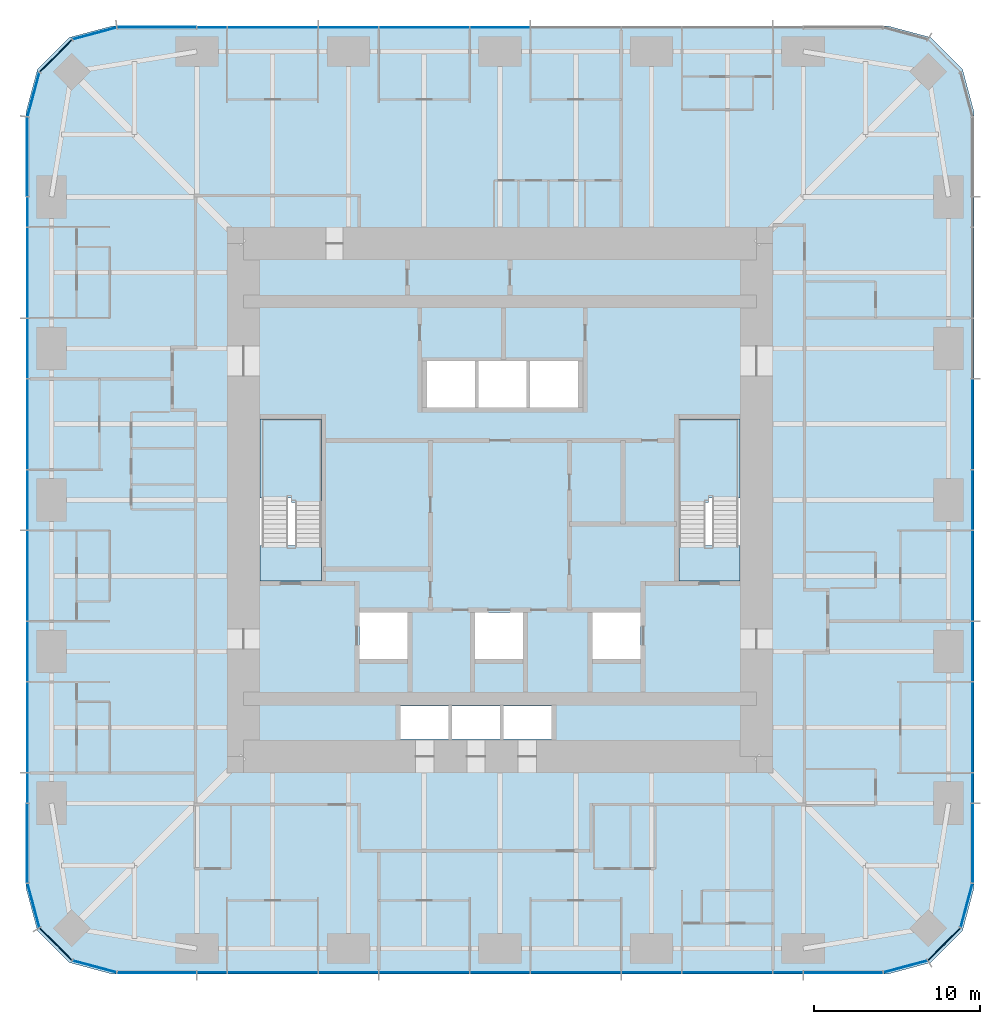
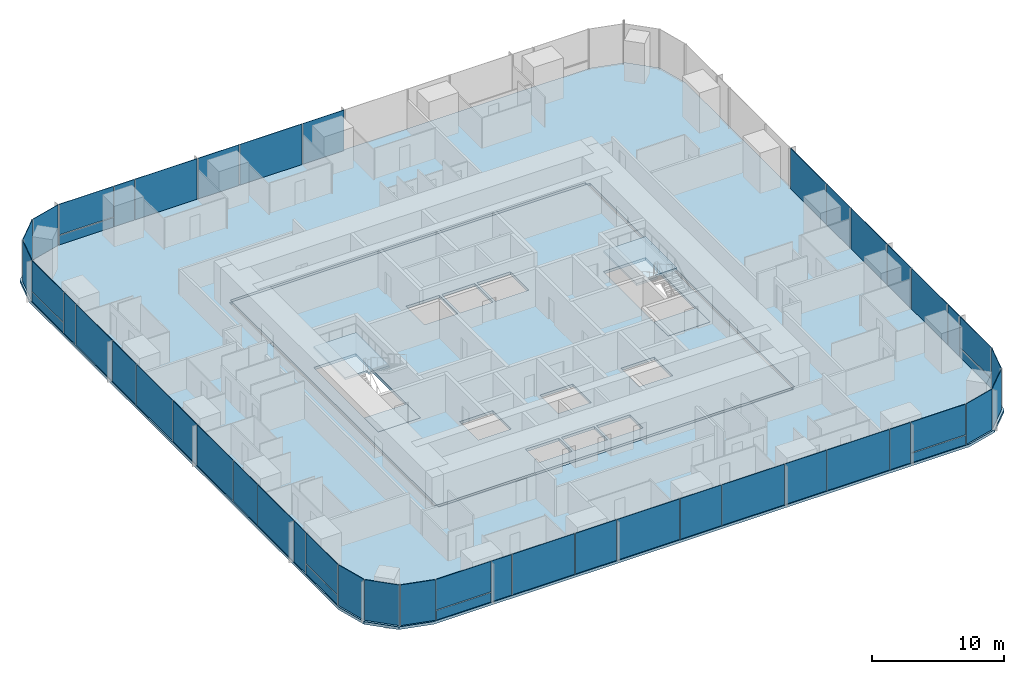
# One storey, part 7 of 13: 50 plates, 6 slabs, 9 elements without a shape of their own.
"""IFC4 building model written with IfcOpenShell, lengths in metres."""

import ifcopenshell
import ifcopenshell.guid

model = None  # the IFC model being written
_history = None  # IfcOwnerHistory: only IFC2X3 demands one
_inside = {}  # id of a spatial element -> (the spatial element, [elements in it])
_under = {}  # id of a project, library or spatial element -> (it, [spatial elements below it])
_declared = {}  # id of a project -> (the project, [libraries it declares])
_typed = {}  # id of a type object -> (the type object, [elements of that type])
_made_of = {}  # id of a material, layer set ... -> (it, [elements and type objects made of it])


def new_model(schema):
    """Start an empty IFC model of exactly this schema.

    Asked for "IFC4X3", IfcOpenShell would pick the latest addendum, in which some entities
    have other attributes; the version numbers below select the first issue.
    IFC2X3 requires an IfcOwnerHistory on every rooted entity: one is made here for all.
    """
    global model, _history
    if schema == "IFC4X3":
        model = ifcopenshell.file(schema_version=(4, 3, 0, 0))
    else:
        model = ifcopenshell.file(schema=schema)
    _inside.clear()
    _under.clear()
    _declared.clear()
    _typed.clear()
    _made_of.clear()
    _history = None
    if model.schema == "IFC2X3":
        org = make("IfcOrganization", Name="unknown")
        user = make(
            "IfcPersonAndOrganization",
            ThePerson=make("IfcPerson", FamilyName="unknown"),
            TheOrganization=org,
        )
        app = make(
            "IfcApplication",
            ApplicationDeveloper=org,
            Version="unknown",
            ApplicationFullName="unknown",
            ApplicationIdentifier="unknown",
        )
        _history = make(
            "IfcOwnerHistory",
            OwningUser=user,
            OwningApplication=app,
            ChangeAction="ADDED",
            CreationDate=0,
        )
    return model


def make(cls, **values):
    """One entity of the class cls with the attributes given. An attribute that is None is left unset."""
    return model.create_entity(
        cls, **{name: value for name, value in values.items() if value is not None}
    )


def rooted(cls, **values):
    """An entity with a GlobalId (a new one), such as an element, a storey or a relation."""
    return make(cls, GlobalId=ifcopenshell.guid.new(), OwnerHistory=_history, **values)


def si_unit(unit_type, name, prefix=None):
    """IfcSIUnit, for example si_unit("LENGTHUNIT", "METRE", prefix="MILLI")."""
    return make("IfcSIUnit", UnitType=unit_type, Prefix=prefix, Name=name)


def assignment(units):
    """IfcUnitAssignment: the units of a project."""
    return None if units is None else make("IfcUnitAssignment", Units=units)


def point(xyz):
    """IfcCartesianPoint."""
    return None if xyz is None else make("IfcCartesianPoint", Coordinates=xyz)


def direction(xyz):
    """IfcDirection."""
    return None if xyz is None else make("IfcDirection", DirectionRatios=xyz)


def frame(location, z_axis=None, x_axis=None):
    """IfcAxis2Placement3D, a coordinate frame: its origin and axes. An axis left out is left unset."""
    return make(
        "IfcAxis2Placement3D",
        Location=point(location),
        Axis=direction(z_axis),
        RefDirection=direction(x_axis),
    )


def frame_2d(location, x_axis=None):
    """IfcAxis2Placement2D, a coordinate frame in the plane: its origin and x axis."""
    return make(
        "IfcAxis2Placement2D", Location=point(location), RefDirection=direction(x_axis)
    )


def origin():
    """The frame at (0, 0, 0) with its axes left unset."""
    return frame((0.0, 0.0, 0.0))


def origin_2d():
    """The frame at (0, 0) in the plane with its x axis left unset."""
    return frame_2d((0.0, 0.0))


def place(relative_to, where):
    """IfcLocalPlacement: puts the frame where relative to a parent placement (None: the world)."""
    return make(
        "IfcLocalPlacement", PlacementRelTo=relative_to, RelativePlacement=where
    )


def context(
    kind, dimensions, precision=None, world=None, true_north=None, identifier=None
):
    """IfcGeometricRepresentationContext, for example the 3D "Model" context."""
    return make(
        "IfcGeometricRepresentationContext",
        ContextIdentifier=identifier,
        ContextType=kind,
        CoordinateSpaceDimension=dimensions,
        Precision=precision,
        WorldCoordinateSystem=world,
        TrueNorth=true_north,
    )


def subcontext(parent, identifier, kind, view, scale=None):
    """IfcGeometricRepresentationSubContext, for example "Body" below "Model"."""
    return make(
        "IfcGeometricRepresentationSubContext",
        ContextIdentifier=identifier,
        ContextType=kind,
        ParentContext=parent,
        TargetScale=scale,
        TargetView=view,
    )


def project(units=None, contexts=None):
    """IfcProject with its units and contexts."""
    return rooted(
        "IfcProject",
        Name="project",
        RepresentationContexts=contexts,
        UnitsInContext=assignment(units),
    )


def spatial(cls, under=None, at=None, **own):
    """A site, building, storey or space (cls), placed at a placement, below another one or the project."""
    s = rooted(cls, ObjectPlacement=at, **own)
    if under is not None:
        _under.setdefault(under.id(), (under, []))[1].append(s)
    return s


def polyline(points):
    """IfcPolyline through the points."""
    return make("IfcPolyline", Points=[point(p) for p in points])


def profile(cls, at=None, kind="AREA", **sizes):
    """A parametric profile (cls). Its sizes go by their IFC names, for example OverallWidth=200.0."""
    return make(cls, ProfileType=kind, Position=at, **sizes)


def rectangle(**sizes):
    """IfcRectangleProfileDef."""
    return profile("IfcRectangleProfileDef", **sizes)


def outline(outer, holes=None, kind="AREA"):
    """IfcArbitraryClosedProfileDef: a profile drawn as a closed curve; with holes, ...WithVoids."""
    if holes is None:
        return make("IfcArbitraryClosedProfileDef", ProfileType=kind, OuterCurve=outer)
    return make(
        "IfcArbitraryProfileDefWithVoids",
        ProfileType=kind,
        OuterCurve=outer,
        InnerCurves=holes,
    )


def extrude(swept, where, along, depth):
    """IfcExtrudedAreaSolid: the profile swept, set in the frame where, extruded along a direction by depth."""
    return make(
        "IfcExtrudedAreaSolid",
        SweptArea=swept,
        Position=where,
        ExtrudedDirection=direction(along),
        Depth=depth,
    )


def shape(context_of_items, identifier, shape_type, items):
    """IfcShapeRepresentation: the items that make up one representation, for example the "Body"."""
    return make(
        "IfcShapeRepresentation",
        ContextOfItems=context_of_items,
        RepresentationIdentifier=identifier,
        RepresentationType=shape_type,
        Items=items,
    )


def material(Name=None, Category=None):
    """IfcMaterial."""
    return make("IfcMaterial", Name=Name, Category=Category)


def layer(
    of_material, thickness, ventilated=None, Name=None, Category=None, Priority=None
):
    """IfcMaterialLayer: one layer of a wall or slab, of a material (None: an air gap)."""
    return make(
        "IfcMaterialLayer",
        Material=of_material,
        LayerThickness=thickness,
        IsVentilated=ventilated,
        Name=Name,
        Category=Category,
        Priority=Priority,
    )


def layer_set(layers, Name=None):
    """IfcMaterialLayerSet."""
    return make("IfcMaterialLayerSet", MaterialLayers=layers, LayerSetName=Name)


def made_of(thing, what):
    """Note that an element or type object is made of a material, layer set ...; save() writes the relation."""
    if what is not None:
        _made_of.setdefault(what.id(), (what, []))[1].append(thing)
    return thing


def type_object(cls, material=None, **own):
    """A type object (cls), such as IfcWallType, which elements share."""
    return made_of(rooted(cls, **own), material)


def element(
    cls,
    number,
    at=None,
    inside=None,
    cuts=None,
    type_object=None,
    material=None,
    context=None,
    identifier="Body",
    shape_type=None,
    held_by="IfcProductDefinitionShape",
    body=None,
    shapes=None,
    **own,
):
    """One element of the class cls, such as IfcWall. Its Tag is "e" and its number.

    at: its placement. inside: the storey or other place that contains it. cuts: it is an
    opening in that element (IfcRelVoidsElement). A single representation is given by context,
    identifier, shape_type and body (its items); several are given by shapes. held_by: the class
    of the entity that holds the representations. save() writes the other relations.
    """
    e = rooted(cls, Tag="e%d" % number, ObjectPlacement=at, **own)
    if body is not None:
        shapes = [shape(context, identifier, shape_type, body)]
    if shapes is not None:
        e.Representation = make(held_by, Representations=shapes)
    if inside is not None:
        _inside.setdefault(inside.id(), (inside, []))[1].append(e)
    if cuts is not None:
        rooted(
            "IfcRelVoidsElement", RelatingBuildingElement=cuts, RelatedOpeningElement=e
        )
    if type_object is not None:
        _typed.setdefault(type_object.id(), (type_object, []))[1].append(e)
    return made_of(e, material)


def aggregate(whole, parts):
    """IfcRelAggregates: a whole, such as a stair, and the parts it consists of."""
    return rooted("IfcRelAggregates", RelatingObject=whole, RelatedObjects=parts)


def save(model, path):
    """Write the relations noted so far, then the file.

    IfcRelAggregates (storeys below a building ...), IfcRelContainedInSpatialStructure (elements
    in a storey), IfcRelDefinesByType, IfcRelAssociatesMaterial and IfcRelDeclares: one each for
    every whole, place, type object, material and project.
    """
    for whole, parts in _under.values():
        aggregate(whole, parts)
    for where, things in _inside.values():
        rooted(
            "IfcRelContainedInSpatialStructure",
            RelatedElements=things,
            RelatingStructure=where,
        )
    for kind, things in _typed.values():
        rooted("IfcRelDefinesByType", RelatedObjects=things, RelatingType=kind)
    for what, things in _made_of.values():
        rooted("IfcRelAssociatesMaterial", RelatedObjects=things, RelatingMaterial=what)
    for by, libraries in _declared.values():
        rooted("IfcRelDeclares", RelatingContext=by, RelatedDefinitions=libraries)
    model.write(path)


model = new_model("IFC4")

# Units and contexts
model_context = context("Model", 3, precision=1e-05, world=origin(), true_north=direction((0.0, 1.0)))
body_context = subcontext(model_context, "Body", "Model", "MODEL_VIEW")
ifc_project = project(units=[si_unit("LENGTHUNIT", "METRE"), si_unit("AREAUNIT", "SQUARE_METRE"), si_unit("VOLUMEUNIT", "CUBIC_METRE"), si_unit("PLANEANGLEUNIT", "RADIAN"), si_unit("MASSUNIT", "GRAM", prefix="KILO")], contexts=[model_context])

# Site, building, storey
site_placement = place(None, origin())
site = spatial("IfcSite", under=ifc_project, at=site_placement, CompositionType="ELEMENT")
building_placement = place(site_placement, origin())
building = spatial("IfcBuilding", under=site, at=building_placement, Name="Khuree Lantern Residences", CompositionType="ELEMENT")
storey_placement = place(building_placement, frame((0.0, 0.0, 152.25)))
storey = spatial("IfcBuildingStorey", under=building, at=storey_placement, Name="L38", CompositionType="ELEMENT", Elevation=152.25)

# Slab
ifc_material_1 = material(Name="Concrete C35/45", Category="concrete")
ifc_layer_1 = layer(ifc_material_1, 0.25)
ifc_layer_set_1 = layer_set([ifc_layer_1], Name="CFL250 CORE FLOOR SLAB 250")
slab_type_1 = type_object("IfcSlabType", Name="CFL250 CORE FLOOR SLAB 250", PredefinedType="FLOOR", material=ifc_layer_set_1)
slab_1_placement = place(storey_placement, frame((0.0, 0.0, -0.25)))
element("IfcSlab", 1, at=slab_1_placement, inside=storey, type_object=slab_type_1, Name="Core floor L38", PredefinedType="FLOOR", context=body_context, shape_type="SweptSolid", body=[
    extrude(outline(polyline([(-15.5, -15.5), (-15.5, 15.5), (15.5, 15.5), (15.5, -15.5), (-15.5, -15.5)]), holes=[polyline([(10.800048828125, 4.89990234375), (10.800048828125, -4.89990234375), (14.5, -4.89990234375), (14.5, 4.89990234375), (10.800048828125, 4.89990234375)]), polyline([(8.5, -6.800048828125), (5.60009765625, -6.800048828125), (5.60009765625, -9.60009765625), (8.5, -9.60009765625), (8.5, -6.800048828125)]), polyline([(4.699951171875, 8.39990234375), (1.800048828125, 8.39990234375), (1.800048828125, 5.60009765625), (4.699951171875, 5.60009765625), (4.699951171875, 8.39990234375)]), polyline([(3.10009765625, -12.449951171875), (0.199951171875, -12.449951171875), (0.199951171875, -14.449951171875), (3.10009765625, -14.449951171875), (3.10009765625, -12.449951171875)]), polyline([(1.60009765625, 8.39990234375), (-1.300048828125, 8.39990234375), (-1.300048828125, 5.60009765625), (1.60009765625, 5.60009765625), (1.60009765625, 8.39990234375)]), polyline([(1.39990234375, -6.800048828125), (-1.5, -6.800048828125), (-1.5, -9.60009765625), (1.39990234375, -9.60009765625), (1.39990234375, -6.800048828125)]), polyline([(-2.89990234375, -12.449951171875), (-2.89990234375, -14.449951171875), (0.0, -14.449951171875), (0.0, -12.449951171875), (-2.89990234375, -12.449951171875)]), polyline([(-4.39990234375, 8.39990234375), (-4.39990234375, 5.60009765625), (-1.5, 5.60009765625), (-1.5, 8.39990234375), (-4.39990234375, 8.39990234375)]), polyline([(-6.0, -12.449951171875), (-6.0, -14.449951171875), (-3.10009765625, -14.449951171875), (-3.10009765625, -12.449951171875), (-6.0, -12.449951171875)]), polyline([(-8.5, -6.800048828125), (-8.5, -9.60009765625), (-5.60009765625, -9.60009765625), (-5.60009765625, -6.800048828125), (-8.5, -6.800048828125)]), polyline([(-10.800048828125, 4.89990234375), (-14.5, 4.89990234375), (-14.5, -4.89990234375), (-10.800048828125, -4.89990234375), (-10.800048828125, 4.89990234375)])]), origin(), (0.0, 0.0, 1.0), 0.25),
])

# Curtain wall, plates
ifc_material_2 = material(Name="Bronze anodised aluminium", Category="aluminium")
curtain_wall_type_1 = type_object("IfcCurtainWallType", Name="CW-T2 TOWER CORNER CURTAIN WALL", PredefinedType="USERDEFINED", material=ifc_material_2)
curtain_wall_1_placement = place(storey_placement, origin())
curtain_wall_1 = element("IfcCurtainWall", 2, at=curtain_wall_1_placement, inside=storey, type_object=curtain_wall_type_1, Name="L38 SOUTH-EAST CORNER CURTAIN WALL", ObjectType="Faceted corner curtain wall", PredefinedType="USERDEFINED")
ifc_material_3 = material(Name="Bronze tinted triple glazing", Category="glass")
ifc_layer_2 = layer(ifc_material_3, 0.048095703125)
ifc_layer_set_2 = layer_set([ifc_layer_2], Name="FACET PANEL P4")
plate_type_1 = type_object("IfcPlateType", Name="FACET PANEL P4", PredefinedType="CURTAIN_PANEL", material=ifc_layer_set_2)
plate_1_placement = place(storey_placement, frame((24.498046875, -28.188720703125, 0.0), z_axis=(0.0, 0.0, 1.0), x_axis=(0.965925810153, 0.258819105321, 0.0)))
plate_1 = element("IfcPlate", 3, at=plate_1_placement, type_object=plate_type_1, Name="L38 SOUTH-EAST CORNER PANEL 1.1", PredefinedType="CURTAIN_PANEL", context=body_context, shape_type="SweptSolid", body=[
    extrude(rectangle(XDim=2.71923828125, YDim=0.048095703125, at=origin_2d()), origin(), (0.0, 0.0, 1.0), 3.75),
])
plate_2_placement = place(storey_placement, frame((26.83837890625, -26.83837890625, 0.0), z_axis=(0.0, 0.0, 1.0), x_axis=(0.707106781187, 0.707106781187, 0.0)))
plate_2 = element("IfcPlate", 4, at=plate_2_placement, type_object=plate_type_1, Name="L38 SOUTH-EAST CORNER PANEL 2.1", PredefinedType="CURTAIN_PANEL", context=body_context, shape_type="SweptSolid", body=[
    extrude(rectangle(XDim=2.715087890625, YDim=0.048095703125, at=origin_2d()), origin(), (0.0, 0.0, 1.0), 3.75),
])
plate_3_placement = place(storey_placement, frame((28.188720703125, -24.498046875, 0.0), z_axis=(0.0, 0.0, 1.0), x_axis=(0.258819105321, 0.965925810153, 0.0)))
plate_3 = element("IfcPlate", 5, at=plate_3_placement, type_object=plate_type_1, Name="L38 SOUTH-EAST CORNER PANEL 3.1", PredefinedType="CURTAIN_PANEL", context=body_context, shape_type="SweptSolid", body=[
    extrude(rectangle(XDim=2.71923828125, YDim=0.048095703125, at=origin_2d()), origin(), (0.0, 0.0, 1.0), 3.75),
])
aggregate(curtain_wall_1, [plate_1, plate_2, plate_3])

curtain_wall_2_placement = place(storey_placement, origin())
curtain_wall_2 = element("IfcCurtainWall", 6, at=curtain_wall_2_placement, inside=storey, type_object=curtain_wall_type_1, Name="L38 NORTH-WEST CORNER CURTAIN WALL", ObjectType="Faceted corner curtain wall", PredefinedType="USERDEFINED")
plate_4_placement = place(storey_placement, frame((-24.498046875, 28.188720703125, 0.0), z_axis=(0.0, 0.0, 1.0), x_axis=(-0.965925810153, -0.258819105321, 0.0)))
plate_4 = element("IfcPlate", 7, at=plate_4_placement, type_object=plate_type_1, Name="L38 NORTH-WEST CORNER PANEL 29.1", PredefinedType="CURTAIN_PANEL", context=body_context, shape_type="SweptSolid", body=[
    extrude(rectangle(XDim=2.71923828125, YDim=0.048095703125, at=origin_2d()), origin(), (0.0, 0.0, 1.0), 3.75),
])
plate_5_placement = place(storey_placement, frame((-26.83837890625, 26.83837890625, 0.0), z_axis=(0.0, 0.0, 1.0), x_axis=(-0.707106781187, -0.707106781187, 0.0)))
plate_5 = element("IfcPlate", 8, at=plate_5_placement, type_object=plate_type_1, Name="L38 NORTH-WEST CORNER PANEL 30.1", PredefinedType="CURTAIN_PANEL", context=body_context, shape_type="SweptSolid", body=[
    extrude(rectangle(XDim=2.715087890625, YDim=0.048095703125, at=origin_2d()), origin(), (0.0, 0.0, 1.0), 3.75),
])
plate_6_placement = place(storey_placement, frame((-28.188720703125, 24.498046875, 0.0), z_axis=(0.0, 0.0, 1.0), x_axis=(-0.258819105321, -0.965925810153, 0.0)))
plate_6 = element("IfcPlate", 9, at=plate_6_placement, type_object=plate_type_1, Name="L38 NORTH-WEST CORNER PANEL 31.1", PredefinedType="CURTAIN_PANEL", context=body_context, shape_type="SweptSolid", body=[
    extrude(rectangle(XDim=2.71923828125, YDim=0.048095703125, at=origin_2d()), origin(), (0.0, 0.0, 1.0), 3.75),
])
aggregate(curtain_wall_2, [plate_4, plate_5, plate_6])

curtain_wall_3_placement = place(storey_placement, origin())
curtain_wall_3 = element("IfcCurtainWall", 10, at=curtain_wall_3_placement, inside=storey, type_object=curtain_wall_type_1, Name="L38 SOUTH-WEST CORNER CURTAIN WALL", ObjectType="Faceted corner curtain wall", PredefinedType="USERDEFINED")
plate_7_placement = place(storey_placement, frame((-28.188720703125, -24.498046875, 0.0), z_axis=(0.0, 0.0, 1.0), x_axis=(0.258819105321, -0.965925810153, 0.0)))
plate_7 = element("IfcPlate", 11, at=plate_7_placement, type_object=plate_type_1, Name="L38 SOUTH-WEST CORNER PANEL 43.1", PredefinedType="CURTAIN_PANEL", context=body_context, shape_type="SweptSolid", body=[
    extrude(rectangle(XDim=2.71923828125, YDim=0.048095703125, at=origin_2d()), origin(), (0.0, 0.0, 1.0), 3.75),
])
plate_8_placement = place(storey_placement, frame((-26.83837890625, -26.83837890625, 0.0), z_axis=(0.0, 0.0, 1.0), x_axis=(0.707106781187, -0.707106781187, 0.0)))
plate_8 = element("IfcPlate", 12, at=plate_8_placement, type_object=plate_type_1, Name="L38 SOUTH-WEST CORNER PANEL 44.1", PredefinedType="CURTAIN_PANEL", context=body_context, shape_type="SweptSolid", body=[
    extrude(rectangle(XDim=2.715087890625, YDim=0.048095703125, at=origin_2d()), origin(), (0.0, 0.0, 1.0), 3.75),
])
plate_9_placement = place(storey_placement, frame((-24.498046875, -28.188720703125, 0.0), z_axis=(0.0, 0.0, 1.0), x_axis=(0.965925810153, -0.258819105321, 0.0)))
plate_9 = element("IfcPlate", 13, at=plate_9_placement, type_object=plate_type_1, Name="L38 SOUTH-WEST CORNER PANEL 45.1", PredefinedType="CURTAIN_PANEL", context=body_context, shape_type="SweptSolid", body=[
    extrude(rectangle(XDim=2.71923828125, YDim=0.048095703125, at=origin_2d()), origin(), (0.0, 0.0, 1.0), 3.75),
])
aggregate(curtain_wall_3, [plate_7, plate_8, plate_9])

curtain_wall_type_2 = type_object("IfcCurtainWallType", Name="CW-T1 TOWER FACE CURTAIN WALL", PredefinedType="USERDEFINED", material=ifc_material_2)
curtain_wall_4_placement = place(storey_placement, origin())
curtain_wall_4 = element("IfcCurtainWall", 14, at=curtain_wall_4_placement, inside=storey, type_object=curtain_wall_type_2, Name="L38 EAST FACE CURTAIN WALL", ObjectType="Stick-built curtain wall", PredefinedType="USERDEFINED")
ifc_material_4 = material(Name="Bronze tinted triple glazing with a ceramic-fritted spandrel band", Category="glass")
ifc_layer_3 = layer(ifc_material_4, 0.048095703125)
ifc_layer_set_3 = layer_set([ifc_layer_3], Name="FIXED LIGHT PANEL P11")
plate_type_2 = type_object("IfcPlateType", Name="FIXED LIGHT PANEL P11", PredefinedType="CURTAIN_PANEL", material=ifc_layer_set_3)
plate_10_placement = place(storey_placement, frame((28.550048828125, -13.739990234375, 0.0), z_axis=(0.0, 0.0, 1.0), x_axis=(0.0, 1.0, 0.0)))
plate_10 = element("IfcPlate", 15, at=plate_10_placement, type_object=plate_type_2, Name="L38 EAST FACE PANEL 6.1", PredefinedType="CURTAIN_PANEL", context=body_context, shape_type="SweptSolid", body=[
    extrude(rectangle(XDim=5.430908203125, YDim=0.048095703125, at=origin_2d()), origin(), (0.0, 0.0, 1.0), 3.75),
])
plate_11_placement = place(storey_placement, frame((28.550048828125, -4.580078125, 0.0), z_axis=(0.0, 0.0, 1.0), x_axis=(0.0, 1.0, 0.0)))
plate_11 = element("IfcPlate", 16, at=plate_11_placement, type_object=plate_type_2, Name="L38 EAST FACE PANEL 8.1", PredefinedType="CURTAIN_PANEL", context=body_context, shape_type="SweptSolid", body=[
    extrude(rectangle(XDim=5.430908203125, YDim=0.048095703125, at=origin_2d()), origin(), (0.0, 0.0, 1.0), 3.75),
])
plate_12_placement = place(storey_placement, frame((28.550048828125, 4.580078125, 0.0), z_axis=(0.0, 0.0, 1.0), x_axis=(0.0, 1.0, 0.0)))
plate_12 = element("IfcPlate", 17, at=plate_12_placement, type_object=plate_type_2, Name="L38 EAST FACE PANEL 10.1", PredefinedType="CURTAIN_PANEL", context=body_context, shape_type="SweptSolid", body=[
    extrude(rectangle(XDim=5.430908203125, YDim=0.048095703125, at=origin_2d()), origin(), (0.0, 0.0, 1.0), 3.75),
])

curtain_wall_5_placement = place(storey_placement, origin())
curtain_wall_5 = element("IfcCurtainWall", 18, at=curtain_wall_5_placement, inside=storey, type_object=curtain_wall_type_2, Name="L38 NORTH FACE CURTAIN WALL", ObjectType="Stick-built curtain wall", PredefinedType="USERDEFINED")
plate_13_placement = place(storey_placement, frame((-4.580078125, 28.550048828125, 0.0), z_axis=(0.0, 0.0, 1.0), x_axis=(-1.0, 0.0, 0.0)))
plate_13 = element("IfcPlate", 19, at=plate_13_placement, type_object=plate_type_2, Name="L38 NORTH FACE PANEL 24.1", PredefinedType="CURTAIN_PANEL", context=body_context, shape_type="SweptSolid", body=[
    extrude(rectangle(XDim=5.430908203125, YDim=0.048095703125, at=origin_2d()), origin(), (0.0, 0.0, 1.0), 3.75),
])
plate_14_placement = place(storey_placement, frame((-13.739990234375, 28.550048828125, 0.0), z_axis=(0.0, 0.0, 1.0), x_axis=(-1.0, 0.0, 0.0)))
plate_14 = element("IfcPlate", 20, at=plate_14_placement, type_object=plate_type_2, Name="L38 NORTH FACE PANEL 26.1", PredefinedType="CURTAIN_PANEL", context=body_context, shape_type="SweptSolid", body=[
    extrude(rectangle(XDim=5.430908203125, YDim=0.048095703125, at=origin_2d()), origin(), (0.0, 0.0, 1.0), 3.75),
])

curtain_wall_6_placement = place(storey_placement, origin())
curtain_wall_6 = element("IfcCurtainWall", 21, at=curtain_wall_6_placement, inside=storey, type_object=curtain_wall_type_2, Name="L38 WEST FACE CURTAIN WALL", ObjectType="Stick-built curtain wall", PredefinedType="USERDEFINED")
plate_15_placement = place(storey_placement, frame((-28.550048828125, 13.739990234375, 0.0), z_axis=(0.0, 0.0, 1.0), x_axis=(0.0, -1.0, 0.0)))
plate_15 = element("IfcPlate", 22, at=plate_15_placement, type_object=plate_type_2, Name="L38 WEST FACE PANEL 34.1", PredefinedType="CURTAIN_PANEL", context=body_context, shape_type="SweptSolid", body=[
    extrude(rectangle(XDim=5.430908203125, YDim=0.048095703125, at=origin_2d()), origin(), (0.0, 0.0, 1.0), 3.75),
])
plate_16_placement = place(storey_placement, frame((-28.550048828125, 4.580078125, 0.0), z_axis=(0.0, 0.0, 1.0), x_axis=(0.0, -1.0, 0.0)))
plate_16 = element("IfcPlate", 23, at=plate_16_placement, type_object=plate_type_2, Name="L38 WEST FACE PANEL 36.1", PredefinedType="CURTAIN_PANEL", context=body_context, shape_type="SweptSolid", body=[
    extrude(rectangle(XDim=5.430908203125, YDim=0.048095703125, at=origin_2d()), origin(), (0.0, 0.0, 1.0), 3.75),
])
plate_17_placement = place(storey_placement, frame((-28.550048828125, -4.580078125, 0.0), z_axis=(0.0, 0.0, 1.0), x_axis=(0.0, -1.0, 0.0)))
plate_17 = element("IfcPlate", 24, at=plate_17_placement, type_object=plate_type_2, Name="L38 WEST FACE PANEL 38.1", PredefinedType="CURTAIN_PANEL", context=body_context, shape_type="SweptSolid", body=[
    extrude(rectangle(XDim=5.430908203125, YDim=0.048095703125, at=origin_2d()), origin(), (0.0, 0.0, 1.0), 3.75),
])
plate_18_placement = place(storey_placement, frame((-28.550048828125, -13.739990234375, 0.0), z_axis=(0.0, 0.0, 1.0), x_axis=(0.0, -1.0, 0.0)))
plate_18 = element("IfcPlate", 25, at=plate_18_placement, type_object=plate_type_2, Name="L38 WEST FACE PANEL 40.1", PredefinedType="CURTAIN_PANEL", context=body_context, shape_type="SweptSolid", body=[
    extrude(rectangle(XDim=5.430908203125, YDim=0.048095703125, at=origin_2d()), origin(), (0.0, 0.0, 1.0), 3.75),
])

curtain_wall_7_placement = place(storey_placement, origin())
curtain_wall_7 = element("IfcCurtainWall", 26, at=curtain_wall_7_placement, inside=storey, type_object=curtain_wall_type_2, Name="L38 SOUTH FACE CURTAIN WALL", ObjectType="Stick-built curtain wall", PredefinedType="USERDEFINED")
plate_19_placement = place(storey_placement, frame((-13.739990234375, -28.550048828125, 0.0), z_axis=(0.0, 0.0, 1.0), x_axis=(1.0, 0.0, 0.0)))
plate_19 = element("IfcPlate", 27, at=plate_19_placement, type_object=plate_type_2, Name="L38 SOUTH FACE PANEL 48.1", PredefinedType="CURTAIN_PANEL", context=body_context, shape_type="SweptSolid", body=[
    extrude(rectangle(XDim=5.430908203125, YDim=0.048095703125, at=origin_2d()), origin(), (0.0, 0.0, 1.0), 3.75),
])
plate_20_placement = place(storey_placement, frame((-4.580078125, -28.550048828125, 0.0), z_axis=(0.0, 0.0, 1.0), x_axis=(1.0, 0.0, 0.0)))
plate_20 = element("IfcPlate", 28, at=plate_20_placement, type_object=plate_type_2, Name="L38 SOUTH FACE PANEL 50.1", PredefinedType="CURTAIN_PANEL", context=body_context, shape_type="SweptSolid", body=[
    extrude(rectangle(XDim=5.430908203125, YDim=0.048095703125, at=origin_2d()), origin(), (0.0, 0.0, 1.0), 3.75),
])
plate_21_placement = place(storey_placement, frame((4.580078125, -28.550048828125, 0.0), z_axis=(0.0, 0.0, 1.0), x_axis=(1.0, 0.0, 0.0)))
plate_21 = element("IfcPlate", 29, at=plate_21_placement, type_object=plate_type_2, Name="L38 SOUTH FACE PANEL 52.1", PredefinedType="CURTAIN_PANEL", context=body_context, shape_type="SweptSolid", body=[
    extrude(rectangle(XDim=5.430908203125, YDim=0.048095703125, at=origin_2d()), origin(), (0.0, 0.0, 1.0), 3.75),
])
plate_22_placement = place(storey_placement, frame((13.739990234375, -28.550048828125, 0.0), z_axis=(0.0, 0.0, 1.0), x_axis=(1.0, 0.0, 0.0)))
plate_22 = element("IfcPlate", 30, at=plate_22_placement, type_object=plate_type_2, Name="L38 SOUTH FACE PANEL 54.1", PredefinedType="CURTAIN_PANEL", context=body_context, shape_type="SweptSolid", body=[
    extrude(rectangle(XDim=5.430908203125, YDim=0.048095703125, at=origin_2d()), origin(), (0.0, 0.0, 1.0), 3.75),
])

# Slab
ifc_layer_4 = layer(ifc_material_1, 0.25)
ifc_layer_set_4 = layer_set([ifc_layer_4], Name="FS250 FLOOR SLAB 250")
slab_type_2 = type_object("IfcSlabType", Name="FS250 FLOOR SLAB 250", PredefinedType="FLOOR", material=ifc_layer_set_4)
slab_2_placement = place(storey_placement, frame((0.0, 0.0, -0.25)))
element("IfcSlab", 31, at=slab_2_placement, inside=storey, type_object=slab_type_2, Name="Floor slab L38", PredefinedType="FLOOR", context=body_context, shape_type="SweptSolid", body=[
    extrude(outline(polyline([(-26.02490234375, -27.946533203125), (-27.946533203125, -26.02490234375), (-28.64990234375, -23.39990234375), (-28.64990234375, 23.39990234375), (-27.946533203125, 26.02490234375), (-26.02490234375, 27.946533203125), (-23.39990234375, 28.64990234375), (23.39990234375, 28.64990234375), (26.02490234375, 27.946533203125), (27.946533203125, 26.02490234375), (28.64990234375, 23.39990234375), (28.64990234375, -23.39990234375), (27.946533203125, -26.02490234375), (26.02490234375, -27.946533203125), (23.39990234375, -28.64990234375), (-23.39990234375, -28.64990234375), (-26.02490234375, -27.946533203125)]), holes=[polyline([(15.75, 15.5), (15.5, 15.5), (15.5, 15.75), (-15.5, 15.75), (-15.5, 15.5), (-15.75, 15.5), (-15.75, -15.5), (-15.5, -15.5), (-15.5, -15.75), (15.5, -15.75), (15.5, -15.5), (15.75, -15.5), (15.75, 15.5)])]), origin(), (0.0, 0.0, 1.0), 0.25),
])

# Plate
ifc_material_5 = material(Name="Bronze tinted triple glazing, two aluminium-framed sashes in one frame", Category="aluminium")
ifc_layer_5 = layer(ifc_material_5, 0.048095703125)
ifc_layer_set_5 = layer_set([ifc_layer_5], Name="SASH PAIR PANEL P12")
plate_type_3 = type_object("IfcPlateType", Name="SASH PAIR PANEL P12", PredefinedType="CURTAIN_PANEL", material=ifc_layer_set_5)
plate_23_placement = place(storey_placement, frame((28.550048828125, -9.159912109375, 0.0), z_axis=(0.0, 0.0, 1.0), x_axis=(0.0, 1.0, 0.0)))
plate_23 = element("IfcPlate", 32, at=plate_23_placement, type_object=plate_type_3, Name="L38 EAST FACE PANEL 7.1", PredefinedType="CURTAIN_PANEL", context=body_context, shape_type="SweptSolid", body=[
    extrude(rectangle(XDim=3.59912109375, YDim=0.048095703125, at=origin_2d()), origin(), (0.0, 0.0, 1.0), 3.75),
])

plate_24_placement = place(storey_placement, frame((28.550048828125, 0.0, 0.0), z_axis=(0.0, 0.0, 1.0), x_axis=(0.0, 1.0, 0.0)))
plate_24 = element("IfcPlate", 33, at=plate_24_placement, type_object=plate_type_3, Name="L38 EAST FACE PANEL 9.1", PredefinedType="CURTAIN_PANEL", context=body_context, shape_type="SweptSolid", body=[
    extrude(rectangle(XDim=3.59912109375, YDim=0.048095703125, at=origin_2d()), origin(), (0.0, 0.0, 1.0), 3.75),
])

plate_25_placement = place(storey_placement, frame((0.0, 28.550048828125, 0.0), z_axis=(0.0, 0.0, 1.0), x_axis=(-1.0, 0.0, 0.0)))
plate_25 = element("IfcPlate", 34, at=plate_25_placement, type_object=plate_type_3, Name="L38 NORTH FACE PANEL 23.1", PredefinedType="CURTAIN_PANEL", context=body_context, shape_type="SweptSolid", body=[
    extrude(rectangle(XDim=3.59912109375, YDim=0.048095703125, at=origin_2d()), origin(), (0.0, 0.0, 1.0), 3.75),
])

plate_26_placement = place(storey_placement, frame((-9.159912109375, 28.550048828125, 0.0), z_axis=(0.0, 0.0, 1.0), x_axis=(-1.0, 0.0, 0.0)))
plate_26 = element("IfcPlate", 35, at=plate_26_placement, type_object=plate_type_3, Name="L38 NORTH FACE PANEL 25.1", PredefinedType="CURTAIN_PANEL", context=body_context, shape_type="SweptSolid", body=[
    extrude(rectangle(XDim=3.59912109375, YDim=0.048095703125, at=origin_2d()), origin(), (0.0, 0.0, 1.0), 3.75),
])

plate_27_placement = place(storey_placement, frame((-28.550048828125, 9.159912109375, 0.0), z_axis=(0.0, 0.0, 1.0), x_axis=(0.0, -1.0, 0.0)))
plate_27 = element("IfcPlate", 36, at=plate_27_placement, type_object=plate_type_3, Name="L38 WEST FACE PANEL 35.1", PredefinedType="CURTAIN_PANEL", context=body_context, shape_type="SweptSolid", body=[
    extrude(rectangle(XDim=3.59912109375, YDim=0.048095703125, at=origin_2d()), origin(), (0.0, 0.0, 1.0), 3.75),
])

plate_28_placement = place(storey_placement, frame((-28.550048828125, 0.0, 0.0), z_axis=(0.0, 0.0, 1.0), x_axis=(0.0, -1.0, 0.0)))
plate_28 = element("IfcPlate", 37, at=plate_28_placement, type_object=plate_type_3, Name="L38 WEST FACE PANEL 37.1", PredefinedType="CURTAIN_PANEL", context=body_context, shape_type="SweptSolid", body=[
    extrude(rectangle(XDim=3.59912109375, YDim=0.048095703125, at=origin_2d()), origin(), (0.0, 0.0, 1.0), 3.75),
])

plate_29_placement = place(storey_placement, frame((-28.550048828125, -9.159912109375, 0.0), z_axis=(0.0, 0.0, 1.0), x_axis=(0.0, -1.0, 0.0)))
plate_29 = element("IfcPlate", 38, at=plate_29_placement, type_object=plate_type_3, Name="L38 WEST FACE PANEL 39.1", PredefinedType="CURTAIN_PANEL", context=body_context, shape_type="SweptSolid", body=[
    extrude(rectangle(XDim=3.59912109375, YDim=0.048095703125, at=origin_2d()), origin(), (0.0, 0.0, 1.0), 3.75),
])

plate_30_placement = place(storey_placement, frame((-9.159912109375, -28.550048828125, 0.0), z_axis=(0.0, 0.0, 1.0), x_axis=(1.0, 0.0, 0.0)))
plate_30 = element("IfcPlate", 39, at=plate_30_placement, type_object=plate_type_3, Name="L38 SOUTH FACE PANEL 49.1", PredefinedType="CURTAIN_PANEL", context=body_context, shape_type="SweptSolid", body=[
    extrude(rectangle(XDim=3.59912109375, YDim=0.048095703125, at=origin_2d()), origin(), (0.0, 0.0, 1.0), 3.75),
])

plate_31_placement = place(storey_placement, frame((0.0, -28.550048828125, 0.0), z_axis=(0.0, 0.0, 1.0), x_axis=(1.0, 0.0, 0.0)))
plate_31 = element("IfcPlate", 40, at=plate_31_placement, type_object=plate_type_3, Name="L38 SOUTH FACE PANEL 51.1", PredefinedType="CURTAIN_PANEL", context=body_context, shape_type="SweptSolid", body=[
    extrude(rectangle(XDim=3.59912109375, YDim=0.048095703125, at=origin_2d()), origin(), (0.0, 0.0, 1.0), 3.75),
])

plate_32_placement = place(storey_placement, frame((9.159912109375, -28.550048828125, 0.0), z_axis=(0.0, 0.0, 1.0), x_axis=(1.0, 0.0, 0.0)))
plate_32 = element("IfcPlate", 41, at=plate_32_placement, type_object=plate_type_3, Name="L38 SOUTH FACE PANEL 53.1", PredefinedType="CURTAIN_PANEL", context=body_context, shape_type="SweptSolid", body=[
    extrude(rectangle(XDim=3.59912109375, YDim=0.048095703125, at=origin_2d()), origin(), (0.0, 0.0, 1.0), 3.75),
])

ifc_material_6 = material(Name="Bronze tinted triple glazing, aluminium-framed sash", Category="aluminium")
ifc_layer_6 = layer(ifc_material_6, 0.048095703125)
ifc_layer_set_6 = layer_set([ifc_layer_6], Name="SASH PANEL P3")
plate_type_4 = type_object("IfcPlateType", Name="SASH PANEL P3", PredefinedType="CURTAIN_PANEL", material=ifc_layer_set_6)
plate_33_placement = place(storey_placement, frame((28.550048828125, -17.404052734375, 0.0), z_axis=(0.0, 0.0, 1.0), x_axis=(0.0, 1.0, 0.0)))
plate_33 = element("IfcPlate", 42, at=plate_33_placement, type_object=plate_type_4, Name="L38 EAST FACE PANEL 5.1", PredefinedType="CURTAIN_PANEL", context=body_context, shape_type="SweptSolid", body=[
    extrude(rectangle(XDim=1.76708984375, YDim=0.048095703125, at=origin_2d()), origin(), (0.0, 0.0, 1.0), 3.75),
])

plate_34_placement = place(storey_placement, frame((-17.404052734375, 28.550048828125, 0.0), z_axis=(0.0, 0.0, 1.0), x_axis=(-1.0, 0.0, 0.0)))
plate_34 = element("IfcPlate", 43, at=plate_34_placement, type_object=plate_type_4, Name="L38 NORTH FACE PANEL 27.1", PredefinedType="CURTAIN_PANEL", context=body_context, shape_type="SweptSolid", body=[
    extrude(rectangle(XDim=1.76708984375, YDim=0.048095703125, at=origin_2d()), origin(), (0.0, 0.0, 1.0), 3.75),
])

plate_35_placement = place(storey_placement, frame((-28.550048828125, 17.404052734375, 0.0), z_axis=(0.0, 0.0, 1.0), x_axis=(0.0, -1.0, 0.0)))
plate_35 = element("IfcPlate", 44, at=plate_35_placement, type_object=plate_type_4, Name="L38 WEST FACE PANEL 33.1", PredefinedType="CURTAIN_PANEL", context=body_context, shape_type="SweptSolid", body=[
    extrude(rectangle(XDim=1.76708984375, YDim=0.048095703125, at=origin_2d()), origin(), (0.0, 0.0, 1.0), 3.75),
])

plate_36_placement = place(storey_placement, frame((-28.550048828125, -17.404052734375, 0.0), z_axis=(0.0, 0.0, 1.0), x_axis=(0.0, -1.0, 0.0)))
plate_36 = element("IfcPlate", 45, at=plate_36_placement, type_object=plate_type_4, Name="L38 WEST FACE PANEL 41.1", PredefinedType="CURTAIN_PANEL", context=body_context, shape_type="SweptSolid", body=[
    extrude(rectangle(XDim=1.76708984375, YDim=0.048095703125, at=origin_2d()), origin(), (0.0, 0.0, 1.0), 3.75),
])

plate_37_placement = place(storey_placement, frame((-17.404052734375, -28.550048828125, 0.0), z_axis=(0.0, 0.0, 1.0), x_axis=(1.0, 0.0, 0.0)))
plate_37 = element("IfcPlate", 46, at=plate_37_placement, type_object=plate_type_4, Name="L38 SOUTH FACE PANEL 47.1", PredefinedType="CURTAIN_PANEL", context=body_context, shape_type="SweptSolid", body=[
    extrude(rectangle(XDim=1.76708984375, YDim=0.048095703125, at=origin_2d()), origin(), (0.0, 0.0, 1.0), 3.75),
])

plate_38_placement = place(storey_placement, frame((17.404052734375, -28.550048828125, 0.0), z_axis=(0.0, 0.0, 1.0), x_axis=(1.0, 0.0, 0.0)))
plate_38 = element("IfcPlate", 47, at=plate_38_placement, type_object=plate_type_4, Name="L38 SOUTH FACE PANEL 55.1", PredefinedType="CURTAIN_PANEL", context=body_context, shape_type="SweptSolid", body=[
    extrude(rectangle(XDim=1.76708984375, YDim=0.048095703125, at=origin_2d()), origin(), (0.0, 0.0, 1.0), 3.75),
])

ifc_material_7 = material(Name="Bronze anodised aluminium insulated spandrel", Category="aluminium")
ifc_layer_7 = layer(ifc_material_7, 0.06005859375)
ifc_layer_set_7 = layer_set([ifc_layer_7], Name="SPANDREL PANEL P2")
plate_type_5 = type_object("IfcPlateType", Name="SPANDREL PANEL P2", PredefinedType="CURTAIN_PANEL", material=ifc_layer_set_7)
plate_39_placement = place(storey_placement, frame((28.550048828125, -20.73291015625, 0.0), z_axis=(0.0, 0.0, 1.0), x_axis=(0.0, 1.0, 0.0)))
plate_39 = element("IfcPlate", 48, at=plate_39_placement, type_object=plate_type_5, Name="L38 EAST FACE PANEL 4.1", PredefinedType="CURTAIN_PANEL", context=body_context, shape_type="SweptSolid", body=[
    extrude(rectangle(XDim=4.7607421875, YDim=0.06005859375, at=origin_2d()), origin(), (0.0, 0.0, 1.0), 0.867431640625),
])

plate_40_placement = place(storey_placement, frame((-20.73291015625, 28.550048828125, 0.0), z_axis=(0.0, 0.0, 1.0), x_axis=(-1.0, 0.0, 0.0)))
plate_40 = element("IfcPlate", 49, at=plate_40_placement, type_object=plate_type_5, Name="L38 NORTH FACE PANEL 28.1", PredefinedType="CURTAIN_PANEL", context=body_context, shape_type="SweptSolid", body=[
    extrude(rectangle(XDim=4.7607421875, YDim=0.06005859375, at=origin_2d()), origin(), (0.0, 0.0, 1.0), 0.867431640625),
])

plate_41_placement = place(storey_placement, frame((-28.550048828125, 20.73291015625, 0.0), z_axis=(0.0, 0.0, 1.0), x_axis=(0.0, -1.0, 0.0)))
plate_41 = element("IfcPlate", 50, at=plate_41_placement, type_object=plate_type_5, Name="L38 WEST FACE PANEL 32.1", PredefinedType="CURTAIN_PANEL", context=body_context, shape_type="SweptSolid", body=[
    extrude(rectangle(XDim=4.7607421875, YDim=0.06005859375, at=origin_2d()), origin(), (0.0, 0.0, 1.0), 0.867431640625),
])

plate_42_placement = place(storey_placement, frame((-28.550048828125, -20.73291015625, 0.0), z_axis=(0.0, 0.0, 1.0), x_axis=(0.0, -1.0, 0.0)))
plate_42 = element("IfcPlate", 51, at=plate_42_placement, type_object=plate_type_5, Name="L38 WEST FACE PANEL 42.1", PredefinedType="CURTAIN_PANEL", context=body_context, shape_type="SweptSolid", body=[
    extrude(rectangle(XDim=4.7607421875, YDim=0.06005859375, at=origin_2d()), origin(), (0.0, 0.0, 1.0), 0.867431640625),
])

plate_43_placement = place(storey_placement, frame((-20.73291015625, -28.550048828125, 0.0), z_axis=(0.0, 0.0, 1.0), x_axis=(1.0, 0.0, 0.0)))
plate_43 = element("IfcPlate", 52, at=plate_43_placement, type_object=plate_type_5, Name="L38 SOUTH FACE PANEL 46.1", PredefinedType="CURTAIN_PANEL", context=body_context, shape_type="SweptSolid", body=[
    extrude(rectangle(XDim=4.7607421875, YDim=0.06005859375, at=origin_2d()), origin(), (0.0, 0.0, 1.0), 0.867431640625),
])

plate_44_placement = place(storey_placement, frame((20.73291015625, -28.550048828125, 0.0), z_axis=(0.0, 0.0, 1.0), x_axis=(1.0, 0.0, 0.0)))
plate_44 = element("IfcPlate", 53, at=plate_44_placement, type_object=plate_type_5, Name="L38 SOUTH FACE PANEL 56.1", PredefinedType="CURTAIN_PANEL", context=body_context, shape_type="SweptSolid", body=[
    extrude(rectangle(XDim=4.7607421875, YDim=0.06005859375, at=origin_2d()), origin(), (0.0, 0.0, 1.0), 0.867431640625),
])

# Stair, slabs
ifc_material_8 = material(Name="Concrete C40/50", Category="concrete")
stair_type = type_object("IfcStairType", Name="STAIR ST1 HALF TURN 3600", PredefinedType="HALF_TURN_STAIR", material=ifc_material_8)
stair_1_placement = place(storey_placement, origin())
stair_1 = element("IfcStair", 54, at=stair_1_placement, inside=storey, type_object=stair_type, Name="Stair ST1", PredefinedType="HALF_TURN_STAIR")
ifc_layer_8 = layer(ifc_material_8, 0.199951171875)
ifc_layer_set_8 = layer_set([ifc_layer_8], Name="STAIR LANDING SL1 200")
slab_type_3 = type_object("IfcSlabType", Name="STAIR LANDING SL1 200", PredefinedType="LANDING", material=ifc_layer_set_8)
slab_3_placement = place(storey_placement, frame((0.0, 0.0, -0.199951171875)))
slab_3 = element("IfcSlab", 55, at=slab_3_placement, type_object=slab_type_3, Name="ST1 landing 1", PredefinedType="LANDING", context=body_context, shape_type="SweptSolid", body=[
    extrude(outline(polyline([(-14.5, -4.89990234375), (-10.800048828125, -4.89990234375), (-10.800048828125, -2.760009765625), (-14.5, -2.760009765625), (-14.5, -4.89990234375)])), origin(), (0.0, 0.0, 1.0), 0.199951171875),
])
slab_4_placement = place(storey_placement, frame((0.0, 0.0, 1.756591796875)))
slab_4 = element("IfcSlab", 56, at=slab_4_placement, type_object=slab_type_3, Name="ST1 landing 2", PredefinedType="LANDING", context=body_context, shape_type="SweptSolid", body=[
    extrude(outline(polyline([(-14.5, 0.1201171875), (-14.5, 4.89990234375), (-10.800048828125, 4.89990234375), (-10.800048828125, -0.159912109375), (-12.60009765625, -0.159912109375), (-12.60009765625, 0.1201171875), (-14.5, 0.1201171875)])), origin(), (0.0, 0.0, 1.0), 0.199951171875),
])
aggregate(stair_1, [slab_3, slab_4])

stair_2_placement = place(storey_placement, origin())
stair_2 = element("IfcStair", 57, at=stair_2_placement, inside=storey, type_object=stair_type, Name="Stair ST2", PredefinedType="HALF_TURN_STAIR")
slab_5_placement = place(storey_placement, frame((0.0, 0.0, -0.199951171875)))
slab_5 = element("IfcSlab", 58, at=slab_5_placement, type_object=slab_type_3, Name="ST2 landing 1", PredefinedType="LANDING", context=body_context, shape_type="SweptSolid", body=[
    extrude(outline(polyline([(10.800048828125, -4.89990234375), (14.5, -4.89990234375), (14.5, -2.760009765625), (10.800048828125, -2.760009765625), (10.800048828125, -4.89990234375)])), origin(), (0.0, 0.0, 1.0), 0.199951171875),
])
slab_6_placement = place(storey_placement, frame((0.0, 0.0, 1.756591796875)))
slab_6 = element("IfcSlab", 59, at=slab_6_placement, type_object=slab_type_3, Name="ST2 landing 2", PredefinedType="LANDING", context=body_context, shape_type="SweptSolid", body=[
    extrude(outline(polyline([(14.5, 4.89990234375), (14.5, 0.1201171875), (12.60009765625, 0.1201171875), (12.60009765625, -0.159912109375), (10.800048828125, -0.159912109375), (10.800048828125, 4.89990234375), (14.5, 4.89990234375)])), origin(), (0.0, 0.0, 1.0), 0.199951171875),
])
aggregate(stair_2, [slab_5, slab_6])

# Plate
ifc_layer_9 = layer(ifc_material_3, 0.048095703125)
ifc_layer_set_9 = layer_set([ifc_layer_9], Name="VISION PANEL P1")
plate_type_6 = type_object("IfcPlateType", Name="VISION PANEL P1", PredefinedType="CURTAIN_PANEL", material=ifc_layer_set_9)
plate_45_placement = place(storey_placement, frame((28.550048828125, -20.7333984375, 0.9326171875), z_axis=(0.0, 0.0, 1.0), x_axis=(0.0, 1.0, 0.0)))
plate_45 = element("IfcPlate", 60, at=plate_45_placement, type_object=plate_type_6, Name="L38 EAST FACE PANEL 4.2", PredefinedType="CURTAIN_PANEL", context=body_context, shape_type="SweptSolid", body=[
    extrude(rectangle(XDim=4.761474609375, YDim=0.048095703125, at=origin_2d()), origin(), (0.0, 0.0, 1.0), 2.8173828125),
])

aggregate(curtain_wall_4, [plate_39, plate_45, plate_33, plate_10, plate_23, plate_11, plate_24, plate_12])

plate_46_placement = place(storey_placement, frame((-20.7333984375, 28.550048828125, 0.9326171875), z_axis=(0.0, 0.0, 1.0), x_axis=(-1.0, 0.0, 0.0)))
plate_46 = element("IfcPlate", 61, at=plate_46_placement, type_object=plate_type_6, Name="L38 NORTH FACE PANEL 28.2", PredefinedType="CURTAIN_PANEL", context=body_context, shape_type="SweptSolid", body=[
    extrude(rectangle(XDim=4.761474609375, YDim=0.048095703125, at=origin_2d()), origin(), (0.0, 0.0, 1.0), 2.8173828125),
])

aggregate(curtain_wall_5, [plate_25, plate_13, plate_26, plate_14, plate_34, plate_40, plate_46])

plate_47_placement = place(storey_placement, frame((-28.550048828125, 20.7333984375, 0.9326171875), z_axis=(0.0, 0.0, 1.0), x_axis=(0.0, -1.0, 0.0)))
plate_47 = element("IfcPlate", 62, at=plate_47_placement, type_object=plate_type_6, Name="L38 WEST FACE PANEL 32.2", PredefinedType="CURTAIN_PANEL", context=body_context, shape_type="SweptSolid", body=[
    extrude(rectangle(XDim=4.761474609375, YDim=0.048095703125, at=origin_2d()), origin(), (0.0, 0.0, 1.0), 2.8173828125),
])

plate_48_placement = place(storey_placement, frame((-28.550048828125, -20.7333984375, 0.9326171875), z_axis=(0.0, 0.0, 1.0), x_axis=(0.0, -1.0, 0.0)))
plate_48 = element("IfcPlate", 63, at=plate_48_placement, type_object=plate_type_6, Name="L38 WEST FACE PANEL 42.2", PredefinedType="CURTAIN_PANEL", context=body_context, shape_type="SweptSolid", body=[
    extrude(rectangle(XDim=4.761474609375, YDim=0.048095703125, at=origin_2d()), origin(), (0.0, 0.0, 1.0), 2.8173828125),
])

aggregate(curtain_wall_6, [plate_41, plate_47, plate_35, plate_15, plate_27, plate_16, plate_28, plate_17, plate_29, plate_18, plate_36, plate_42, plate_48])

plate_49_placement = place(storey_placement, frame((-20.7333984375, -28.550048828125, 0.9326171875), z_axis=(0.0, 0.0, 1.0), x_axis=(1.0, 0.0, 0.0)))
plate_49 = element("IfcPlate", 64, at=plate_49_placement, type_object=plate_type_6, Name="L38 SOUTH FACE PANEL 46.2", PredefinedType="CURTAIN_PANEL", context=body_context, shape_type="SweptSolid", body=[
    extrude(rectangle(XDim=4.761474609375, YDim=0.048095703125, at=origin_2d()), origin(), (0.0, 0.0, 1.0), 2.8173828125),
])

plate_50_placement = place(storey_placement, frame((20.7333984375, -28.550048828125, 0.9326171875), z_axis=(0.0, 0.0, 1.0), x_axis=(1.0, 0.0, 0.0)))
plate_50 = element("IfcPlate", 65, at=plate_50_placement, type_object=plate_type_6, Name="L38 SOUTH FACE PANEL 56.2", PredefinedType="CURTAIN_PANEL", context=body_context, shape_type="SweptSolid", body=[
    extrude(rectangle(XDim=4.761474609375, YDim=0.048095703125, at=origin_2d()), origin(), (0.0, 0.0, 1.0), 2.8173828125),
])

aggregate(curtain_wall_7, [plate_43, plate_49, plate_37, plate_19, plate_30, plate_20, plate_31, plate_21, plate_32, plate_22, plate_38, plate_44, plate_50])

save(model, "model.ifc")
